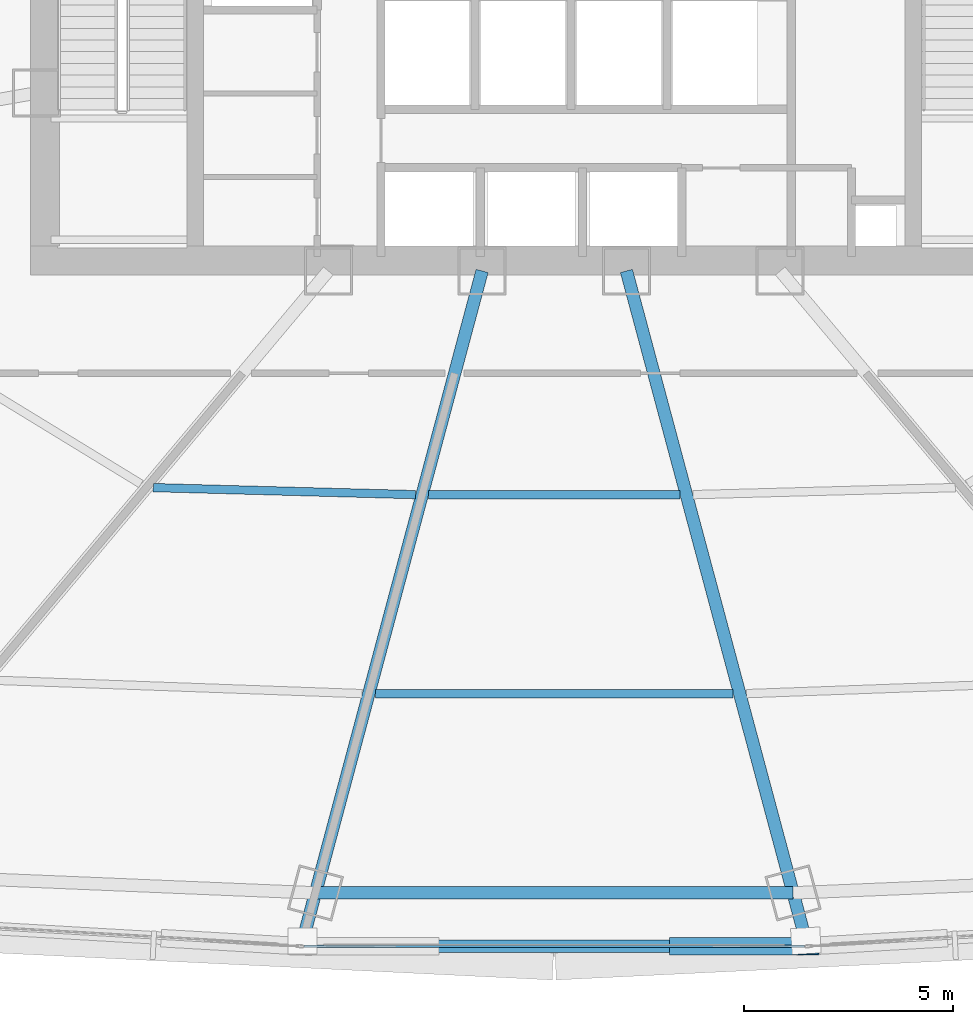
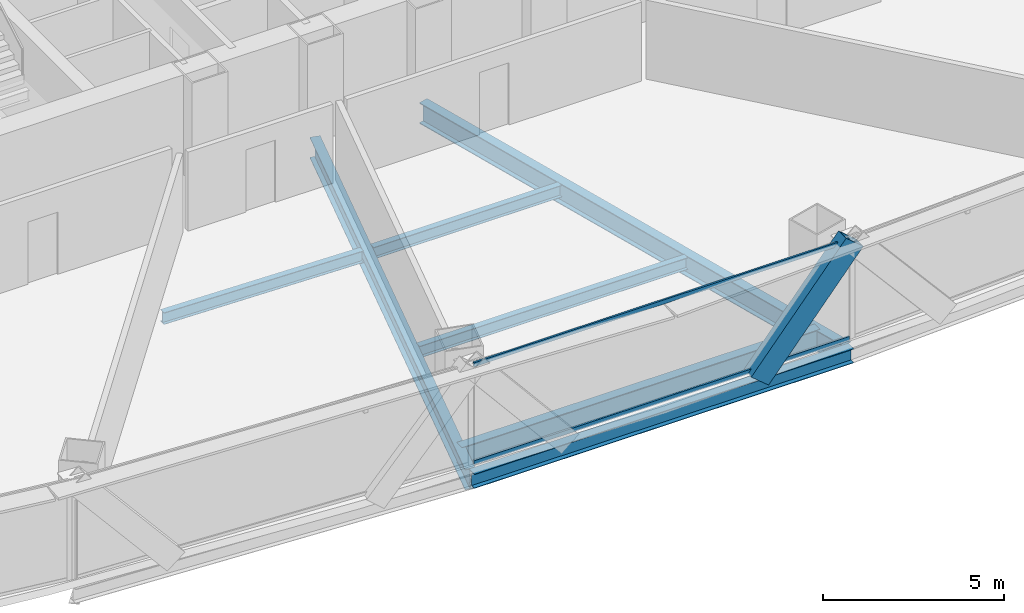
# One storey, part 9 of 37: 7 beams, 3 members, 1 element without a shape of its own.
"""IFC4 building model written with IfcOpenShell, lengths in metres."""

from ifc_helpers import new_model, si_unit, direction, frame, origin, origin_2d, place, context, subcontext, project, spatial, hollow_rectangle, i_section, extrude, source, transform, mapped, material, layer, layer_set, material_profile, profile_set, type_object, element, aggregate, save


model = new_model("IFC4")

# Units and contexts
model_context = context("Model", 3, precision=1e-05, world=origin(), true_north=direction((0.0, 1.0)))
body_context = subcontext(model_context, "Body", "Model", "MODEL_VIEW")
ifc_project = project(units=[si_unit("LENGTHUNIT", "METRE"), si_unit("AREAUNIT", "SQUARE_METRE"), si_unit("VOLUMEUNIT", "CUBIC_METRE"), si_unit("PLANEANGLEUNIT", "RADIAN"), si_unit("MASSUNIT", "GRAM", prefix="KILO"), si_unit("THERMODYNAMICTEMPERATUREUNIT", "KELVIN"), si_unit("POWERUNIT", "WATT")], contexts=[model_context])

# Site, building, storey
site_placement = place(None, origin())
site = spatial("IfcSite", under=ifc_project, at=site_placement, CompositionType="ELEMENT")
building_placement = place(site_placement, origin())
building = spatial("IfcBuilding", under=site, at=building_placement, Name="Yunzhuo Pagoda Commons", CompositionType="ELEMENT")
storey_placement = place(building_placement, frame((0.0, 0.0, 59.43994140625)))
storey = spatial("IfcBuildingStorey", under=building, at=storey_placement, Name="L15", CompositionType="ELEMENT", Elevation=59.43994140625)

# Beams
ifc_material_1 = material(Name="Structural steel Q355B", Category="steel")
ifc_material_profile_1 = material_profile(ifc_material_1, i_section(OverallWidth=0.300048828125, OverallDepth=0.699951171875, WebThickness=0.012939453125, FlangeThickness=0.02392578125, at=origin_2d()), Name="Structural steel Q355B")
ifc_profile_set_1 = profile_set([ifc_material_profile_1], Name="Structural steel Q355B")
beam_type_1 = type_object("IfcBeamType", Name="B-RG1 Beam HN 700x300x13x24", PredefinedType="BEAM", material=ifc_profile_set_1)
shared_shape_1 = source(origin(), body_context, "Body", "SweptSolid", [
    extrude(i_section(OverallWidth=0.300048828125, OverallDepth=0.699951171875, WebThickness=0.012939453125, FlangeThickness=0.02392578125, at=origin_2d()), origin(), (0.0, 0.0, 1.0), 11.4404296875),
])
beam_1_placement = place(storey_placement, frame((42.27978515625, 12.35205078125, -0.60986328125), z_axis=(1.0, 0.0, 0.0), x_axis=(0.0, 1.0, 0.0)))
element("IfcBeam", 1, at=beam_1_placement, inside=storey, type_object=beam_type_1, Name="L15 column-ring beam 2", PredefinedType="BEAM", context=body_context, shape_type="MappedRepresentation", body=[
    mapped(shared_shape_1, transform((0.0, 0.0, 0.0), scale=1.0)),
])
ifc_material_profile_2 = material_profile(ifc_material_1, i_section(OverallWidth=0.199951171875, OverallDepth=0.39990234375, WebThickness=0.008056640625, FlangeThickness=0.012939453125, at=origin_2d()), Name="Structural steel Q355B")
ifc_profile_set_2 = profile_set([ifc_material_profile_2], Name="Structural steel Q355B")
beam_type_2 = type_object("IfcBeamType", Name="B-JS1 Joist HN 400x200x8x13", PredefinedType="JOIST", material=ifc_profile_set_2)
shared_shape_2 = source(origin(), body_context, "Body", "SweptSolid", [
    extrude(i_section(OverallWidth=0.199951171875, OverallDepth=0.39990234375, WebThickness=0.008056640625, FlangeThickness=0.012939453125, at=origin_2d()), origin(), (0.0, 0.0, 1.0), 6.28271484375),
])
beam_2_placement = place(storey_placement, frame((38.395263671875, 22.06005859375, -0.459716796875), z_axis=(0.999638393847, -0.026890175648, 0.0), x_axis=(0.026890175648, 0.999638393847, 0.0)))
element("IfcBeam", 2, at=beam_2_placement, inside=storey, type_object=beam_type_2, Name="L15 composite ring joist 1.1", PredefinedType="JOIST", context=body_context, shape_type="MappedRepresentation", body=[
    mapped(shared_shape_2, transform((0.0, 0.0, 0.0), scale=1.0)),
])
shared_shape_3 = source(origin(), body_context, "Body", "SweptSolid", [
    extrude(i_section(OverallWidth=0.199951171875, OverallDepth=0.39990234375, WebThickness=0.008056640625, FlangeThickness=0.012939453125, at=origin_2d()), origin(), (0.0, 0.0, 1.0), 6.0126953125),
])
beam_3_placement = place(storey_placement, frame((44.99365234375, 21.88671875, -0.459716796875), z_axis=(1.0, 0.0, 0.0), x_axis=(0.0, 1.0, 0.0)))
element("IfcBeam", 3, at=beam_3_placement, inside=storey, type_object=beam_type_2, Name="L15 composite ring joist 1.2", PredefinedType="JOIST", context=body_context, shape_type="MappedRepresentation", body=[
    mapped(shared_shape_3, transform((0.0, 0.0, 0.0), scale=1.0)),
])
shared_shape_4 = source(origin(), body_context, "Body", "SweptSolid", [
    extrude(i_section(OverallWidth=0.199951171875, OverallDepth=0.39990234375, WebThickness=0.008056640625, FlangeThickness=0.012939453125, at=origin_2d()), origin(), (0.0, 0.0, 1.0), 8.5673828125),
])
beam_4_placement = place(storey_placement, frame((43.71630859375, 17.119384765625, -0.459716796875), z_axis=(1.0, 0.0, 0.0), x_axis=(0.0, 1.0, 0.0)))
element("IfcBeam", 4, at=beam_4_placement, inside=storey, type_object=beam_type_2, Name="L15 composite ring joist 2.2", PredefinedType="JOIST", context=body_context, shape_type="MappedRepresentation", body=[
    mapped(shared_shape_4, transform((0.0, 0.0, 0.0), scale=1.0)),
])
shared_shape_5 = source(origin(), body_context, "Body", "SweptSolid", [
    extrude(i_section(OverallWidth=0.300048828125, OverallDepth=0.699951171875, WebThickness=0.012939453125, FlangeThickness=0.02392578125, at=origin_2d()), origin(), (0.0, 0.0, 1.0), 16.591064453125),
])
beam_5_placement = place(storey_placement, frame((41.977783203125, 11.224365234375, -0.60986328125), z_axis=(0.258826555959, 0.96592381373, 0.0), x_axis=(-0.96592381373, 0.258826555959, 0.0)))
element("IfcBeam", 5, at=beam_5_placement, inside=storey, type_object=beam_type_1, Name="L15 radial floor girder F1C2", PredefinedType="BEAM", context=body_context, shape_type="MappedRepresentation", body=[
    mapped(shared_shape_5, transform((0.0, 0.0, 0.0), scale=1.0)),
])
shared_shape_6 = source(origin(), body_context, "Body", "SweptSolid", [
    extrude(i_section(OverallWidth=0.300048828125, OverallDepth=0.699951171875, WebThickness=0.012939453125, FlangeThickness=0.02392578125, at=origin_2d()), origin(), (0.0, 0.0, 1.0), 16.5908203125),
])
beam_6_placement = place(storey_placement, frame((54.022216796875, 11.224365234375, -0.60986328125), z_axis=(-0.258799096727, 0.965931171219, 0.0), x_axis=(-0.965931171219, -0.258799096727, 0.0)))
element("IfcBeam", 6, at=beam_6_placement, inside=storey, type_object=beam_type_1, Name="L15 radial floor girder F1C3", PredefinedType="BEAM", context=body_context, shape_type="MappedRepresentation", body=[
    mapped(shared_shape_6, transform((0.0, 0.0, 0.0), scale=1.0)),
])
ifc_material_profile_3 = material_profile(ifc_material_1, i_section(OverallWidth=0.300048828125, OverallDepth=0.488037109375, WebThickness=0.010986328125, FlangeThickness=0.01806640625, at=origin_2d()), Name="Structural steel Q355B")
ifc_profile_set_3 = profile_set([ifc_material_profile_3], Name="Structural steel Q355B")
beam_type_3 = type_object("IfcBeamType", Name="B-SP1 Beam HM 488x300x11x18", PredefinedType="BEAM", material=ifc_profile_set_3)
shared_shape_7 = source(origin(), body_context, "Body", "SweptSolid", [
    extrude(i_section(OverallWidth=0.300048828125, OverallDepth=0.488037109375, WebThickness=0.010986328125, FlangeThickness=0.01806640625, at=origin_2d()), origin(), (0.0, 0.0, 1.0), 12.125),
])
beam_7_placement = place(storey_placement, frame((41.9375, 11.07470703125, -0.50390625), z_axis=(1.0, 0.0, 0.0), x_axis=(0.0, 1.0, 0.0)))
element("IfcBeam", 7, at=beam_7_placement, inside=storey, type_object=beam_type_3, Name="L15 facade edge spandrel beam F1.2", PredefinedType="BEAM", context=body_context, shape_type="MappedRepresentation", body=[
    mapped(shared_shape_7, transform((0.0, 0.0, 0.0), scale=1.0)),
])

# Member
ifc_material_2 = material(Name="Structural steel Q420B", Category="steel")
ifc_material_profile_4 = material_profile(ifc_material_2, hollow_rectangle(XDim=0.419921875, YDim=0.719970703125, WallThickness=0.028076171875, at=origin_2d()), Name="Structural steel Q420B")
ifc_profile_set_4 = profile_set([ifc_material_profile_4], Name="Structural steel Q420B")
member_type_1 = type_object("IfcMemberType", Name="M-DL1 Brace BOX 720x420x28", PredefinedType="BRACE", material=ifc_profile_set_4)
shared_shape_8 = source(origin(), body_context, "Body", "SweptSolid", [
    extrude(hollow_rectangle(XDim=0.419921875, YDim=0.719970703125, WallThickness=0.028076171875, at=origin_2d()), origin(), (0.0, 0.0, 1.0), 4.729248046875),
])
member_1_placement = place(storey_placement, frame((51.03125, 11.07470703125, -0.260009765625), z_axis=(0.640950808878, 0.0, 0.767581956927), x_axis=(0.0, 1.0, 0.0)))
element("IfcMember", 8, at=member_1_placement, inside=storey, type_object=member_type_1, Name="L15 facade diamond brace F1.2R", PredefinedType="BRACE", context=body_context, shape_type="MappedRepresentation", body=[
    mapped(shared_shape_8, transform((0.0, 0.0, 0.0), scale=1.0)),
])

# Curtain wall, members
ifc_material_3 = material(Name="Anodized aluminium 6063-T6", Category="aluminium")
ifc_layer = layer(ifc_material_3, 0.1650390625)
ifc_layer_set = layer_set([ifc_layer], Name="Anodized aluminium 6063-T6")
curtain_wall_type = type_object("IfcCurtainWallType", Name="CW-LOW Low-Zone Ribbon Curtain Wall", PredefinedType="NOTDEFINED", material=ifc_layer_set)
curtain_wall_placement = place(storey_placement, origin())
curtain_wall = element("IfcCurtainWall", 9, at=curtain_wall_placement, inside=storey, type_object=curtain_wall_type, Name="L15 curtain wall CW-L15-F1B3", PredefinedType="NOTDEFINED")
ifc_material_profile_5 = material_profile(ifc_material_3, hollow_rectangle(XDim=0.06005859375, YDim=0.139892578125, WallThickness=0.00341796875, at=origin_2d()), Name="Anodized aluminium 6063-T6")
ifc_profile_set_5 = profile_set([ifc_material_profile_5], Name="Anodized aluminium 6063-T6")
member_type_2 = type_object("IfcMemberType", Name="CW-LOW-T Transom RHS 140x60x3.5", PredefinedType="USERDEFINED", material=ifc_profile_set_5)
shared_shape_9 = source(origin(), body_context, "Body", "SweptSolid", [
    extrude(hollow_rectangle(XDim=0.06005859375, YDim=0.139892578125, WallThickness=0.00341796875, at=origin_2d()), origin(), (0.0, 0.0, 1.0), 11.9951171875),
])
member_2_placement = place(storey_placement, frame((42.00244140625, 11.07470703125, 0.030029296875), z_axis=(1.0, 0.0, 0.0), x_axis=(0.0, 1.0, 0.0)))
member_2 = element("IfcMember", 10, at=member_2_placement, type_object=member_type_2, Name="CW transom 1.1", ObjectType="TRANSOM", PredefinedType="USERDEFINED", context=body_context, shape_type="MappedRepresentation", body=[
    mapped(shared_shape_9, transform((0.0, 0.0, 0.0), scale=1.0)),
])
member_3_placement = place(storey_placement, frame((42.00244140625, 11.07470703125, 3.340087890625), z_axis=(1.0, 0.0, 0.0), x_axis=(0.0, 1.0, 0.0)))
member_3 = element("IfcMember", 11, at=member_3_placement, type_object=member_type_2, Name="CW transom 1.2", ObjectType="TRANSOM", PredefinedType="USERDEFINED", context=body_context, shape_type="MappedRepresentation", body=[
    mapped(shared_shape_9, transform((0.0, 0.0, 0.0), scale=1.0)),
])
aggregate(curtain_wall, [member_2, member_3])

save(model, "model.ifc")
